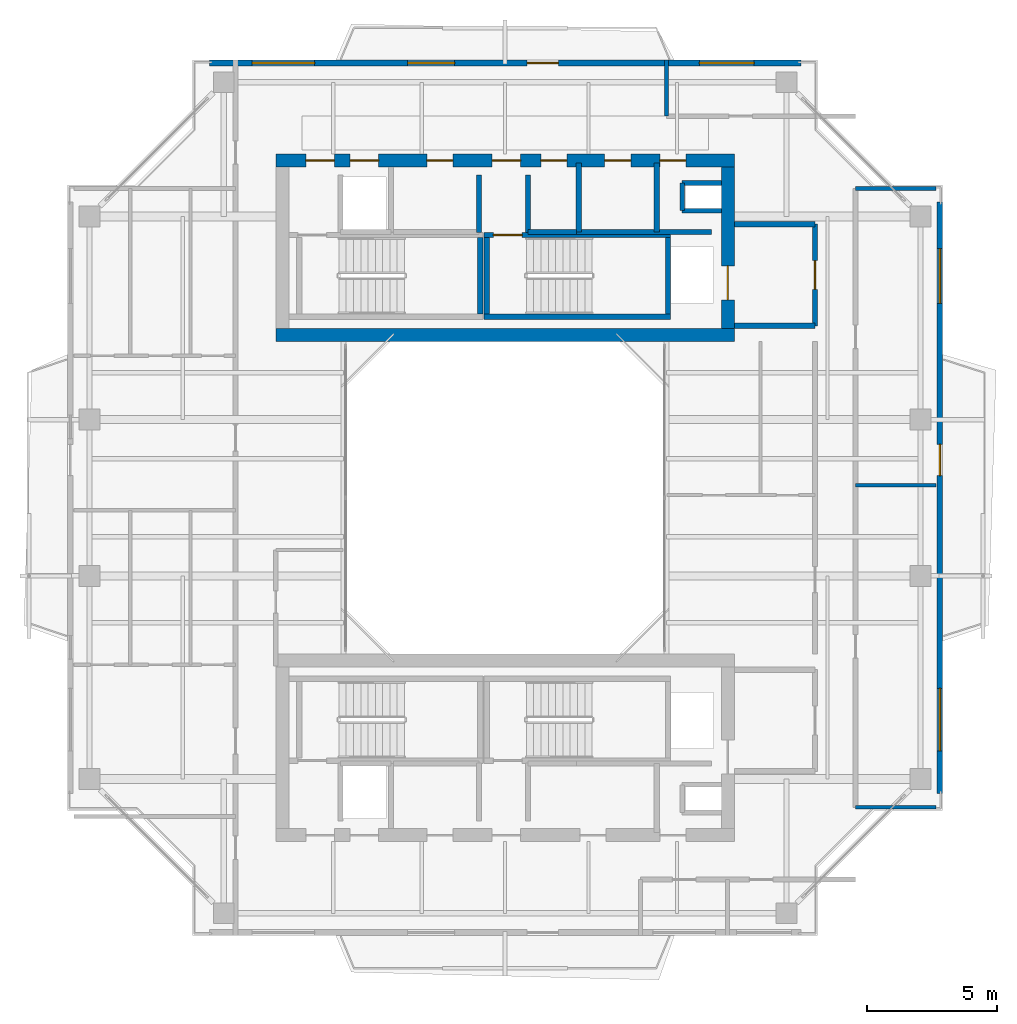
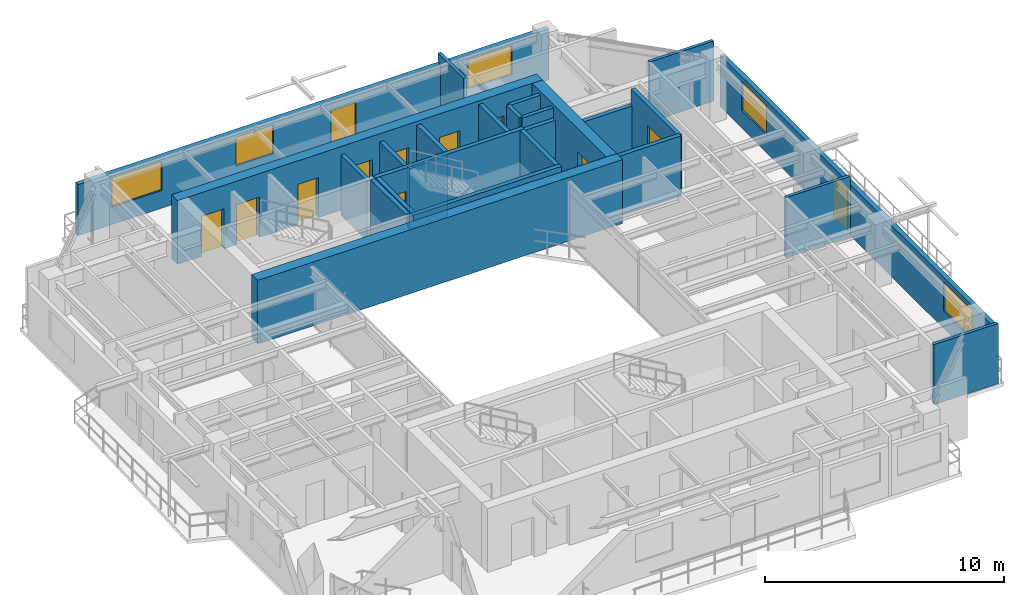
# One storey, part 12 of 16: 26 walls, 12 doors, 5 windows, 17 openings.
"""IFC4 building model written with IfcOpenShell, lengths in metres."""

from ifc_helpers import new_model, si_unit, direction, frame, frame_2d, origin, place, context, subcontext, project, spatial, rectangle, extrude, source, transform, mapped, material, layer, layer_set, type_object, element, fill, save


model = new_model("IFC4")

# Units and contexts
model_context = context("Model", 3, precision=1e-05, world=origin(), true_north=direction((0.0, 1.0)))
body_context = subcontext(model_context, "Body", "Model", "MODEL_VIEW")
ifc_project = project(units=[si_unit("LENGTHUNIT", "METRE"), si_unit("AREAUNIT", "SQUARE_METRE"), si_unit("VOLUMEUNIT", "CUBIC_METRE"), si_unit("PLANEANGLEUNIT", "RADIAN"), si_unit("MASSUNIT", "GRAM", prefix="KILO"), si_unit("THERMODYNAMICTEMPERATUREUNIT", "KELVIN"), si_unit("POWERUNIT", "WATT")], contexts=[model_context])

# Site, building, storey
site_placement = place(None, origin())
site = spatial("IfcSite", under=ifc_project, at=site_placement, CompositionType="ELEMENT")
building_placement = place(site_placement, origin())
building = spatial("IfcBuilding", under=site, at=building_placement, Name="Qiaomeng Ring Towers", CompositionType="ELEMENT")
storey_placement = place(building_placement, frame((0.0, 0.0, 197.0)))
storey = spatial("IfcBuildingStorey", under=building, at=storey_placement, Name="L57", CompositionType="ELEMENT", Elevation=197.0)

# Wall, openings, windows, door
ifc_material_1 = material(Name="Precast concrete C40", Category="concrete")
ifc_layer_1 = layer(ifc_material_1, 0.219970703125, Name="Precast concrete C40")
ifc_layer_set_1 = layer_set([ifc_layer_1], Name="Precast concrete C40")
wall_type_1 = type_object("IfcWallType", Name="ARC-WL-EW2", PredefinedType="STANDARD", material=ifc_layer_set_1)
wall_1_placement = place(storey_placement, frame((7.64990234375, 39.68994140625, 0.0), z_axis=(0.0, 0.0, 1.0), x_axis=(1.0, 0.0, 0.0)))
wall_1 = element("IfcWall", 1, at=wall_1_placement, inside=storey, type_object=wall_type_1, Name="L57 Tower 1 N Exterior Wall", PredefinedType="STANDARD", context=body_context, shape_type="SweptSolid", body=[
    extrude(rectangle(XDim=22.7001953125, YDim=0.219970703125, at=frame_2d((11.35009765625, 0.0))), origin(), (0.0, 0.0, 1.0), 2.610107421875),
])
opening_1_placement = place(wall_1_placement, frame((12.199951171875, 0.0, 0.0)))
opening_1 = element("IfcOpeningElement", 2, at=opening_1_placement, cuts=wall_1, Name="Opening BD1", PredefinedType="OPENING", context=body_context, shape_type="SweptSolid", body=[
    extrude(rectangle(XDim=1.199951171875, YDim=2.10009765625, at=frame_2d((0.60009765625, 1.050048828125))), frame((0.0, 0.119873046875, 0.0), z_axis=(0.0, -1.0, 0.0), x_axis=(1.0, 0.0, 0.0)), (0.0, 0.0, 1.0), 0.239990234375),
])
opening_2_placement = place(wall_1_placement, frame((1.636962890625, 0.0, 0.89990234375)))
opening_2 = element("IfcOpeningElement", 3, at=opening_2_placement, cuts=wall_1, Name="Opening WN6", PredefinedType="OPENING", context=body_context, shape_type="SweptSolid", body=[
    extrude(rectangle(XDim=2.39990234375, YDim=1.47998046875, at=frame_2d((1.199951171875, 0.739990234375))), frame((0.0, 0.119873046875, 0.0), z_axis=(0.0, -1.0, 0.0), x_axis=(1.0, 0.0, 0.0)), (0.0, 0.0, 1.0), 0.239990234375),
])
opening_3_placement = place(wall_1_placement, frame((7.612060546875, 0.0, 0.89990234375)))
opening_3 = element("IfcOpeningElement", 4, at=opening_3_placement, cuts=wall_1, Name="Opening WN1", PredefinedType="OPENING", context=body_context, shape_type="SweptSolid", body=[
    extrude(rectangle(XDim=1.800048828125, YDim=1.449951171875, at=frame_2d((0.89990234375, 0.72509765625))), frame((0.0, 0.119873046875, 0.0), z_axis=(0.0, -1.0, 0.0), x_axis=(1.0, 0.0, 0.0)), (0.0, 0.0, 1.0), 0.239990234375),
])
opening_4_placement = place(wall_1_placement, frame((18.81201171875, 0.0, 0.89990234375)))
opening_4 = element("IfcOpeningElement", 5, at=opening_4_placement, cuts=wall_1, Name="Opening WN4", PredefinedType="OPENING", context=body_context, shape_type="SweptSolid", body=[
    extrude(rectangle(XDim=2.10009765625, YDim=1.47998046875, at=frame_2d((1.050048828125, 0.739990234375))), frame((0.0, 0.119873046875, 0.0), z_axis=(0.0, -1.0, 0.0), x_axis=(1.0, 0.0, 0.0)), (0.0, 0.0, 1.0), 0.239990234375),
])
ifc_material_2 = material(Name="Low-E dark-grey laminated double glazing", Category="glass")
window_type_1 = type_object("IfcWindowType", Name="ARC-WN-4", PartitioningType="TRIPLE_PANEL_VERTICAL", PredefinedType="WINDOW", material=ifc_material_2)
shared_shape_1 = source(origin(), body_context, "Body", "SweptSolid", [
    extrude(rectangle(XDim=2.10009765625, YDim=1.47998046875, at=frame_2d((1.050048828125, 0.739990234375))), frame((0.0, 0.030029296875, 0.0), z_axis=(0.0, -1.0, 0.0), x_axis=(1.0, 0.0, 0.0)), (0.0, 0.0, 1.0), 0.06005859375),
])
window_1_placement = place(opening_4_placement, origin())
window_1 = element("IfcWindow", 6, at=window_1_placement, inside=storey, type_object=window_type_1, Name="L57 Exterior Window WN4", OverallHeight=1.47998046875, OverallWidth=2.10009765625, PartitioningType="TRIPLE_PANEL_VERTICAL", PredefinedType="WINDOW", context=body_context, shape_type="MappedRepresentation", body=[
    mapped(shared_shape_1, transform((0.0, 0.0, 0.0), x_axis=(1.0, 0.0, 0.0), y_axis=(0.0, 1.0, 0.0), z_axis=(0.0, 0.0, 1.0), scale=1.0)),
])
fill(opening_4, window_1)
window_type_2 = type_object("IfcWindowType", Name="ARC-WN-1", PartitioningType="DOUBLE_PANEL_VERTICAL", PredefinedType="WINDOW", material=ifc_material_2)
shared_shape_2 = source(origin(), body_context, "Body", "SweptSolid", [
    extrude(rectangle(XDim=1.800048828125, YDim=1.449951171875, at=frame_2d((0.89990234375, 0.72509765625))), frame((0.0, 0.030029296875, 0.0), z_axis=(0.0, -1.0, 0.0), x_axis=(1.0, 0.0, 0.0)), (0.0, 0.0, 1.0), 0.06005859375),
])
window_2_placement = place(opening_3_placement, origin())
window_2 = element("IfcWindow", 7, at=window_2_placement, inside=storey, type_object=window_type_2, Name="L57 Exterior Window WN1", OverallHeight=1.449951171875, OverallWidth=1.800048828125, PartitioningType="DOUBLE_PANEL_VERTICAL", PredefinedType="WINDOW", context=body_context, shape_type="MappedRepresentation", body=[
    mapped(shared_shape_2, transform((0.0, 0.0, 0.0), x_axis=(1.0, 0.0, 0.0), y_axis=(0.0, 1.0, 0.0), z_axis=(0.0, 0.0, 1.0), scale=1.0)),
])
fill(opening_3, window_2)
window_type_3 = type_object("IfcWindowType", Name="ARC-WN-6", PartitioningType="TRIPLE_PANEL_VERTICAL", PredefinedType="WINDOW", material=ifc_material_2)
shared_shape_3 = source(origin(), body_context, "Body", "SweptSolid", [
    extrude(rectangle(XDim=2.39990234375, YDim=1.47998046875, at=frame_2d((1.199951171875, 0.739990234375))), frame((0.0, 0.030029296875, 0.0), z_axis=(0.0, -1.0, 0.0), x_axis=(1.0, 0.0, 0.0)), (0.0, 0.0, 1.0), 0.06005859375),
])
window_3_placement = place(opening_2_placement, origin())
window_3 = element("IfcWindow", 8, at=window_3_placement, inside=storey, type_object=window_type_3, Name="L57 Exterior Window WN6", OverallHeight=1.47998046875, OverallWidth=2.39990234375, PartitioningType="TRIPLE_PANEL_VERTICAL", PredefinedType="WINDOW", context=body_context, shape_type="MappedRepresentation", body=[
    mapped(shared_shape_3, transform((0.0, 0.0, 0.0), x_axis=(1.0, 0.0, 0.0), y_axis=(0.0, 1.0, 0.0), z_axis=(0.0, 0.0, 1.0), scale=1.0)),
])
fill(opening_2, window_3)
door_type_1 = type_object("IfcDoorType", Name="ARC-DR-BD1", OperationType="NOTDEFINED", PredefinedType="DOOR", material=ifc_material_2)
shared_shape_4 = source(origin(), body_context, "Body", "SweptSolid", [
    extrude(rectangle(XDim=1.199951171875, YDim=2.10009765625, at=frame_2d((0.60009765625, 1.050048828125))), frame((0.0, 0.02490234375, 0.0), z_axis=(0.0, -1.0, 0.0), x_axis=(1.0, 0.0, 0.0)), (0.0, 0.0, 1.0), 0.050048828125),
])
door_1_placement = place(opening_1_placement, origin())
door_1 = element("IfcDoor", 9, at=door_1_placement, inside=storey, type_object=door_type_1, Name="L57 N Balcony Glazed Door", OperationType="SINGLE_SWING_LEFT", OverallHeight=2.10009765625, OverallWidth=1.199951171875, PredefinedType="DOOR", context=body_context, shape_type="MappedRepresentation", body=[
    mapped(shared_shape_4, transform((0.0, 0.0, 0.0), x_axis=(1.0, 0.0, 0.0), y_axis=(0.0, 1.0, 0.0), z_axis=(0.0, 0.0, 1.0), scale=1.0)),
])
fill(opening_1, door_1)

wall_2_placement = place(storey_placement, frame((35.68994140625, 11.64990234375, 0.0), z_axis=(0.0, 0.0, 1.0), x_axis=(0.0, 1.0, 0.0)))
wall_2 = element("IfcWall", 10, at=wall_2_placement, inside=storey, type_object=wall_type_1, Name="L57 Tower 1 E Exterior Wall", PredefinedType="STANDARD", context=body_context, shape_type="SweptSolid", body=[
    extrude(rectangle(XDim=22.7001953125, YDim=0.219970703125, at=frame_2d((11.35009765625, 0.0))), origin(), (0.0, 0.0, 1.0), 2.610107421875),
])
opening_5_placement = place(wall_2_placement, frame((12.199951171875, 0.0, 0.0)))
opening_5 = element("IfcOpeningElement", 11, at=opening_5_placement, cuts=wall_2, Name="Opening BD1", PredefinedType="OPENING", context=body_context, shape_type="SweptSolid", body=[
    extrude(rectangle(XDim=1.199951171875, YDim=2.10009765625, at=frame_2d((0.60009765625, 1.050048828125))), frame((0.0, 0.119873046875, 0.0), z_axis=(0.0, -1.0, 0.0), x_axis=(1.0, 0.0, 0.0)), (0.0, 0.0, 1.0), 0.239990234375),
])
opening_6_placement = place(wall_2_placement, frame((1.637939453125, 0.0, 0.89990234375)))
opening_6 = element("IfcOpeningElement", 12, at=opening_6_placement, cuts=wall_2, Name="Opening WN6", PredefinedType="OPENING", context=body_context, shape_type="SweptSolid", body=[
    extrude(rectangle(XDim=2.39990234375, YDim=1.47998046875, at=frame_2d((1.199951171875, 0.739990234375))), frame((0.0, 0.119873046875, 0.0), z_axis=(0.0, -1.0, 0.0), x_axis=(1.0, 0.0, 0.0)), (0.0, 0.0, 1.0), 0.239990234375),
])
opening_7_placement = place(wall_2_placement, frame((18.81298828125, 0.0, 0.89990234375)))
opening_7 = element("IfcOpeningElement", 13, at=opening_7_placement, cuts=wall_2, Name="Opening WN4", PredefinedType="OPENING", context=body_context, shape_type="SweptSolid", body=[
    extrude(rectangle(XDim=2.10009765625, YDim=1.47998046875, at=frame_2d((1.050048828125, 0.739990234375))), frame((0.0, 0.119873046875, 0.0), z_axis=(0.0, -1.0, 0.0), x_axis=(1.0, 0.0, 0.0)), (0.0, 0.0, 1.0), 0.239990234375),
])
window_4_placement = place(opening_7_placement, origin())
window_4 = element("IfcWindow", 14, at=window_4_placement, inside=storey, type_object=window_type_1, Name="L57 Exterior Window WN4", OverallHeight=1.47998046875, OverallWidth=2.10009765625, PartitioningType="TRIPLE_PANEL_VERTICAL", PredefinedType="WINDOW", context=body_context, shape_type="MappedRepresentation", body=[
    mapped(shared_shape_1, transform((0.0, 0.0, 0.0), x_axis=(1.0, 0.0, 0.0), y_axis=(0.0, 1.0, 0.0), z_axis=(0.0, 0.0, 1.0), scale=1.0)),
])
fill(opening_7, window_4)
window_5_placement = place(opening_6_placement, origin())
window_5 = element("IfcWindow", 15, at=window_5_placement, inside=storey, type_object=window_type_3, Name="L57 Exterior Window WN6", OverallHeight=1.47998046875, OverallWidth=2.39990234375, PartitioningType="TRIPLE_PANEL_VERTICAL", PredefinedType="WINDOW", context=body_context, shape_type="MappedRepresentation", body=[
    mapped(shared_shape_3, transform((0.0, 0.0, 0.0), x_axis=(1.0, 0.0, 0.0), y_axis=(0.0, 1.0, 0.0), z_axis=(0.0, 0.0, 1.0), scale=1.0)),
])
fill(opening_6, window_5)
door_2_placement = place(opening_5_placement, origin())
door_2 = element("IfcDoor", 16, at=door_2_placement, inside=storey, type_object=door_type_1, Name="L57 E Balcony Glazed Door", OperationType="SINGLE_SWING_LEFT", OverallHeight=2.10009765625, OverallWidth=1.199951171875, PredefinedType="DOOR", context=body_context, shape_type="MappedRepresentation", body=[
    mapped(shared_shape_4, transform((0.0, 0.0, 0.0), x_axis=(1.0, 0.0, 0.0), y_axis=(0.0, 1.0, 0.0), z_axis=(0.0, 0.0, 1.0), scale=1.0)),
])
fill(opening_5, door_2)

# Walls
ifc_material_3 = material(Name="Autoclaved aerated concrete block", Category="concrete")
ifc_layer_2 = layer(ifc_material_3, 0.199951171875, Name="Autoclaved aerated concrete block")
ifc_layer_set_2 = layer_set([ifc_layer_2], Name="Autoclaved aerated concrete block")
wall_type_2 = type_object("IfcWallType", Name="ARC-WL-PW1", PredefinedType="PARTITIONING", material=ifc_layer_set_2)
wall_3_placement = place(storey_placement, frame((27.800048828125, 29.60009765625, 0.0), z_axis=(0.0, 0.0, 1.0), x_axis=(1.0, 0.0, 0.0)))
element("IfcWall", 17, at=wall_3_placement, inside=storey, type_object=wall_type_2, Name="L57 Interior Wall PW1", PredefinedType="PARTITIONING", context=body_context, shape_type="SweptSolid", body=[
    extrude(rectangle(XDim=3.099853515625, YDim=0.199951171875, at=frame_2d((1.5498046875, 0.0))), origin(), (0.0, 0.0, 1.0), 3.070068359375),
])
wall_4_placement = place(storey_placement, frame((27.800048828125, 33.5, 0.0), z_axis=(0.0, 0.0, 1.0), x_axis=(1.0, 0.0, 0.0)))
element("IfcWall", 18, at=wall_4_placement, inside=storey, type_object=wall_type_2, Name="L57 Interior Wall PW1", PredefinedType="PARTITIONING", context=body_context, shape_type="SweptSolid", body=[
    extrude(rectangle(XDim=3.099853515625, YDim=0.199951171875, at=frame_2d((1.5498046875, 0.0))), origin(), (0.0, 0.0, 1.0), 2.264892578125),
])

# Wall, opening, door
wall_5_placement = place(storey_placement, frame((30.89990234375, 29.60009765625, 0.0), z_axis=(0.0, 0.0, 1.0), x_axis=(0.0, 1.0, 0.0)))
wall_5 = element("IfcWall", 19, at=wall_5_placement, inside=storey, type_object=wall_type_2, Name="L57 Interior Wall PW1", PredefinedType="PARTITIONING", context=body_context, shape_type="SweptSolid", body=[
    extrude(rectangle(XDim=3.89990234375, YDim=0.199951171875, at=frame_2d((1.949951171875, 0.0))), origin(), (0.0, 0.0, 1.0), 3.070068359375),
])
opening_8_placement = place(wall_5_placement, frame((1.39990234375, 0.0, 0.0)))
opening_8 = element("IfcOpeningElement", 20, at=opening_8_placement, cuts=wall_5, Name="Opening FD3", PredefinedType="OPENING", context=body_context, shape_type="SweptSolid", body=[
    extrude(rectangle(XDim=1.10009765625, YDim=2.050048828125, at=frame_2d((0.550048828125, 1.02490234375))), frame((0.0, 0.10986328125, 0.0), z_axis=(0.0, -1.0, 0.0), x_axis=(1.0, 0.0, 0.0)), (0.0, 0.0, 1.0), 0.219970703125),
])
ifc_material_4 = material(Name="Galvanised steel", Category="steel")
door_type_2 = type_object("IfcDoorType", Name="ARC-DR-FD3", OperationType="NOTDEFINED", PredefinedType="DOOR", material=ifc_material_4)
shared_shape_5 = source(origin(), body_context, "Body", "SweptSolid", [
    extrude(rectangle(XDim=1.10009765625, YDim=2.050048828125, at=frame_2d((0.550048828125, 1.02490234375))), frame((0.0, 0.02490234375, 0.0), z_axis=(0.0, -1.0, 0.0), x_axis=(1.0, 0.0, 0.0)), (0.0, 0.0, 1.0), 0.050048828125),
])
door_3_placement = place(opening_8_placement, origin())
door_3 = element("IfcDoor", 21, at=door_3_placement, inside=storey, type_object=door_type_2, Name="L57 North FF Lobby Door", OperationType="SINGLE_SWING_RIGHT", OverallHeight=2.050048828125, OverallWidth=1.10009765625, PredefinedType="DOOR", context=body_context, shape_type="MappedRepresentation", body=[
    mapped(shared_shape_5, transform((0.0, 0.0, 0.0), x_axis=(1.0, 0.0, 0.0), y_axis=(0.0, 1.0, 0.0), z_axis=(0.0, 0.0, 1.0), scale=1.0)),
])
fill(opening_8, door_3)

# Walls
for number, where, z_axis, x_axis, name in (
    (22, (18.0, 33.18994140625, 0.0), (0.0, 0.0, 1.0), (0.0, 1.0, 0.0), "L57 Interior Wall PW1"),
    (23, (19.8798828125, 33.18994140625, 0.0), (0.0, 0.0, 1.0), (0.0, 1.0, 0.0), "L57 Interior Wall PW1"),
):
    element("IfcWall", number, at=place(storey_placement, frame(where, z_axis=z_axis, x_axis=x_axis)), inside=storey, type_object=wall_type_2, Name=name, PredefinedType="PARTITIONING", context=body_context, shape_type="SweptSolid", body=[
        extrude(rectangle(XDim=2.2099609375, YDim=0.199951171875, at=frame_2d((1.10498046875, 0.0))), origin(), (0.0, 0.0, 1.0), 3.070068359375),
    ])
wall_6_placement = place(storey_placement, frame((24.820068359375, 33.199951171875, 0.0), z_axis=(0.0, 0.0, 1.0), x_axis=(0.0, 1.0, 0.0)))
element("IfcWall", 24, at=wall_6_placement, inside=storey, type_object=wall_type_2, Name="L57 Interior Wall PW1", PredefinedType="PARTITIONING", context=body_context, shape_type="SweptSolid", body=[
    extrude(rectangle(XDim=2.650146484375, YDim=0.199951171875, at=frame_2d((1.3251953125, 0.0))), origin(), (0.0, 0.0, 1.0), 3.070068359375),
])
wall_7_placement = place(storey_placement, frame((19.8798828125, 33.199951171875, 0.0), z_axis=(0.0, 0.0, 1.0), x_axis=(1.0, 0.0, 0.0)))
element("IfcWall", 25, at=wall_7_placement, inside=storey, type_object=wall_type_2, Name="L57 Interior Wall PW1", PredefinedType="PARTITIONING", context=body_context, shape_type="SweptSolid", body=[
    extrude(rectangle(XDim=1.8701171875, YDim=0.199951171875, at=frame_2d((0.93505859375, 0.0))), origin(), (0.0, 0.0, 1.0), 3.070068359375),
])
wall_8_placement = place(storey_placement, frame((21.830078125, 33.199951171875, 0.0), z_axis=(0.0, 0.0, 1.0), x_axis=(0.0, 1.0, 0.0)))
element("IfcWall", 26, at=wall_8_placement, inside=storey, type_object=wall_type_2, Name="L57 Interior Wall PW1", PredefinedType="PARTITIONING", context=body_context, shape_type="SweptSolid", body=[
    extrude(rectangle(XDim=2.650146484375, YDim=0.199951171875, at=frame_2d((1.3251953125, 0.0))), origin(), (0.0, 0.0, 1.0), 3.070068359375),
])
wall_9_placement = place(storey_placement, frame((21.75, 33.199951171875, 0.0), z_axis=(0.0, 0.0, 1.0), x_axis=(1.0, 0.0, 0.0)))
element("IfcWall", 27, at=wall_9_placement, inside=storey, type_object=wall_type_2, Name="L57 Interior Wall PW1", PredefinedType="PARTITIONING", context=body_context, shape_type="SweptSolid", body=[
    extrude(rectangle(XDim=5.169921875, YDim=0.199951171875, at=frame_2d((2.5849609375, 0.0))), origin(), (0.0, 0.0, 1.0), 3.070068359375),
])
ifc_material_5 = material(Name="Gypsum fireboard steel-stud partition", Category="steel")
ifc_layer_3 = layer(ifc_material_5, 0.14990234375, Name="Gypsum fireboard steel-stud partition")
ifc_layer_set_3 = layer_set([ifc_layer_3], Name="Gypsum fireboard steel-stud partition")
wall_type_3 = type_object("IfcWallType", Name="ARC-WL-PW3", PredefinedType="PARTITIONING", material=ifc_layer_set_3)
wall_10_placement = place(storey_placement, frame((25.199951171875, 37.64990234375, 0.0), z_axis=(0.0, 0.0, 1.0), x_axis=(0.0, 1.0, 0.0)))
element("IfcWall", 28, at=wall_10_placement, inside=storey, type_object=wall_type_3, Name="L57 Interior Wall PW3", PredefinedType="PARTITIONING", context=body_context, shape_type="SweptSolid", body=[
    extrude(rectangle(XDim=2.150146484375, YDim=0.14990234375, at=frame_2d((1.0751953125, 0.0))), origin(), (0.0, 0.0, 1.0), 3.070068359375),
])
for number, where, z_axis, x_axis, name in (
    (29, (32.449951171875, 34.8798828125, 0.0), (0.0, 0.0, 1.0), (1.0, 0.0, 0.0), "L57 Interior Wall PW3"),
    (30, (32.449951171875, 11.1201171875, 0.0), (0.0, 0.0, 1.0), (1.0, 0.0, 0.0), "L57 Interior Wall PW3"),
    (31, (32.449951171875, 23.47998046875, 0.0), (0.0, 0.0, 1.0), (1.0, 0.0, 0.0), "L57 Interior Wall PW3"),
):
    element("IfcWall", number, at=place(storey_placement, frame(where, z_axis=z_axis, x_axis=x_axis)), inside=storey, type_object=wall_type_3, Name=name, PredefinedType="PARTITIONING", context=body_context, shape_type="SweptSolid", body=[
        extrude(rectangle(XDim=3.10009765625, YDim=0.14990234375, at=frame_2d((1.550048828125, 0.0))), origin(), (0.0, 0.0, 1.0), 3.070068359375),
    ])
ifc_material_6 = material(Name="Concrete C40", Category="concrete")
ifc_layer_4 = layer(ifc_material_6, 0.199951171875, Name="Concrete C40")
ifc_layer_set_4 = layer_set([ifc_layer_4], Name="Concrete C40")
wall_type_4 = type_object("IfcWallType", Name="STR-WL-STSHAFT", PredefinedType="SHEAR", material=ifc_layer_set_4)
wall_11_placement = place(storey_placement, frame((25.800048828125, 34.02001953125, 0.0), z_axis=(0.0, 0.0, 1.0), x_axis=(0.0, 1.0, 0.0)))
element("IfcWall", 32, at=wall_11_placement, inside=storey, type_object=wall_type_4, Name="L57 Riser RSR1 West Shaft Wall N", PredefinedType="SHEAR", context=body_context, shape_type="SweptSolid", body=[
    extrude(rectangle(XDim=1.06005859375, YDim=0.179931640625, at=frame_2d((0.530029296875, 0.0))), origin(), (0.0, 0.0, 1.0), 3.070068359375),
])
for number, where, z_axis, x_axis, name in (
    (33, (25.800048828125, 35.080078125, 0.0), (0.0, 0.0, 1.0), (1.0, 0.0, 0.0), "L57 Riser RSR1 North Shaft Wall N"),
    (34, (25.800048828125, 34.02001953125, 0.0), (0.0, 0.0, 1.0), (1.0, 0.0, 0.0), "L57 Riser RSR1 South Shaft Wall N"),
):
    element("IfcWall", number, at=place(storey_placement, frame(where, z_axis=z_axis, x_axis=x_axis)), inside=storey, type_object=wall_type_4, Name=name, PredefinedType="SHEAR", context=body_context, shape_type="SweptSolid", body=[
        extrude(rectangle(XDim=1.5, YDim=0.179931640625, at=frame_2d((0.75, 0.0))), origin(), (0.0, 0.0, 1.0), 3.070068359375),
    ])
wall_12_placement = place(storey_placement, frame((18.050048828125, 30.050048828125, 0.0), z_axis=(0.0, 0.0, 1.0), x_axis=(0.0, 1.0, 0.0)))
element("IfcWall", 35, at=wall_12_placement, inside=storey, type_object=wall_type_4, Name="L57 Stair ST1 East Shaft Shear Wall", PredefinedType="SHEAR", context=body_context, shape_type="SweptSolid", body=[
    extrude(rectangle(XDim=2.93994140625, YDim=0.199951171875, at=frame_2d((1.469970703125, 0.0))), origin(), (0.0, 0.0, 1.0), 3.25),
])
wall_13_placement = place(storey_placement, frame((18.199951171875, 29.949951171875, 0.0), z_axis=(0.0, 0.0, 1.0), x_axis=(1.0, 0.0, 0.0)))
element("IfcWall", 36, at=wall_13_placement, inside=storey, type_object=wall_type_4, Name="L57 Stair ST2 South Shaft Shear Wall", PredefinedType="SHEAR", context=body_context, shape_type="SweptSolid", body=[
    extrude(rectangle(XDim=7.150146484375, YDim=0.199951171875, at=frame_2d((3.5751953125, 0.0))), origin(), (0.0, 0.0, 1.0), 3.25),
])

# Wall, opening, door
wall_14_placement = place(storey_placement, frame((18.199951171875, 33.090087890625, 0.0), z_axis=(0.0, 0.0, 1.0), x_axis=(1.0, 0.0, 0.0)))
wall_14 = element("IfcWall", 37, at=wall_14_placement, inside=storey, type_object=wall_type_4, Name="L57 Stair ST2 North Shaft Shear Wall", PredefinedType="SHEAR", context=body_context, shape_type="SweptSolid", body=[
    extrude(rectangle(XDim=7.150146484375, YDim=0.199951171875, at=frame_2d((3.5751953125, 0.0))), origin(), (0.0, 0.0, 1.0), 3.25),
])
opening_9_placement = place(wall_14_placement, frame((0.35009765625, 0.0, 0.0)))
opening_9 = element("IfcOpeningElement", 38, at=opening_9_placement, cuts=wall_14, Name="Opening FD3", PredefinedType="OPENING", context=body_context, shape_type="SweptSolid", body=[
    extrude(rectangle(XDim=1.10009765625, YDim=2.050048828125, at=frame_2d((0.550048828125, 1.02490234375))), frame((0.0, 0.10986328125, 0.0), z_axis=(0.0, -1.0, 0.0), x_axis=(1.0, 0.0, 0.0)), (0.0, 0.0, 1.0), 0.219970703125),
])
door_4_placement = place(opening_9_placement, origin())
door_4 = element("IfcDoor", 39, at=door_4_placement, inside=storey, type_object=door_type_2, Name="L57 Stair ST2 Exit Door", OperationType="SINGLE_SWING_LEFT", OverallHeight=2.050048828125, OverallWidth=1.10009765625, PredefinedType="DOOR", context=body_context, shape_type="MappedRepresentation", body=[
    mapped(shared_shape_5, transform((0.0, 0.0, 0.0), x_axis=(1.0, 0.0, 0.0), y_axis=(0.0, 1.0, 0.0), z_axis=(0.0, 0.0, 1.0), scale=1.0)),
])
fill(opening_9, door_4)

# Walls
for number, where, z_axis, x_axis, name in (
    (40, (18.300048828125, 30.050048828125, 0.0), (0.0, 0.0, 1.0), (0.0, 1.0, 0.0), "L57 Stair ST2 West Shaft Shear Wall"),
    (41, (25.25, 30.050048828125, 0.0), (0.0, 0.0, 1.0), (0.0, 1.0, 0.0), "L57 Stair ST2 East Shaft Shear Wall"),
):
    element("IfcWall", number, at=place(storey_placement, frame(where, z_axis=z_axis, x_axis=x_axis)), inside=storey, type_object=wall_type_4, Name=name, PredefinedType="SHEAR", context=body_context, shape_type="SweptSolid", body=[
        extrude(rectangle(XDim=2.93994140625, YDim=0.199951171875, at=frame_2d((1.469970703125, 0.0))), origin(), (0.0, 0.0, 1.0), 3.25),
    ])
ifc_layer_5 = layer(ifc_material_6, 0.5, Name="Concrete C40")
ifc_layer_set_5 = layer_set([ifc_layer_5], Name="Concrete C40")
wall_type_5 = type_object("IfcWallType", Name="STR-WL-SW3", PredefinedType="SHEAR", material=ifc_layer_set_5)
wall_15_placement = place(storey_placement, frame((10.199951171875, 29.25, 0.0), z_axis=(0.0, 0.0, 1.0), x_axis=(1.0, 0.0, 0.0)))
element("IfcWall", 42, at=wall_15_placement, inside=storey, type_object=wall_type_5, Name="L57 T1NC south core shear wall", PredefinedType="SHEAR", context=body_context, shape_type="SweptSolid", body=[
    extrude(rectangle(XDim=17.60009765625, YDim=0.5, at=frame_2d((8.800048828125, 0.0))), origin(), (0.0, 0.0, 1.0), 3.25),
])

# Wall, openings, doors
wall_16_placement = place(storey_placement, frame((10.199951171875, 35.949951171875, 0.0), z_axis=(0.0, 0.0, 1.0), x_axis=(1.0, 0.0, 0.0)))
wall_16 = element("IfcWall", 43, at=wall_16_placement, inside=storey, type_object=wall_type_5, Name="L57 T1NC north core shear wall", PredefinedType="SHEAR", context=body_context, shape_type="SweptSolid", body=[
    extrude(rectangle(XDim=17.60009765625, YDim=0.5, at=frame_2d((8.800048828125, 0.0))), origin(), (0.0, 0.0, 1.0), 3.25),
])
opening_10_placement = place(wall_16_placement, frame((1.14990234375, 0.0, 0.0)))
opening_10 = element("IfcOpeningElement", 44, at=opening_10_placement, cuts=wall_16, Name="Opening FD3", PredefinedType="OPENING", context=body_context, shape_type="SweptSolid", body=[
    extrude(rectangle(XDim=1.10009765625, YDim=2.050048828125, at=frame_2d((0.550048828125, 1.02490234375))), frame((0.0, 0.260009765625, 0.0), z_axis=(0.0, -1.0, 0.0), x_axis=(1.0, 0.0, 0.0)), (0.0, 0.0, 1.0), 0.52001953125),
])
opening_11_placement = place(wall_16_placement, frame((8.300048828125, 0.0, 0.0)))
opening_11 = element("IfcOpeningElement", 45, at=opening_11_placement, cuts=wall_16, Name="Opening FD3", PredefinedType="OPENING", context=body_context, shape_type="SweptSolid", body=[
    extrude(rectangle(XDim=1.10009765625, YDim=2.050048828125, at=frame_2d((0.550048828125, 1.02490234375))), frame((0.0, 0.260009765625, 0.0), z_axis=(0.0, -1.0, 0.0), x_axis=(1.0, 0.0, 0.0)), (0.0, 0.0, 1.0), 0.52001953125),
])
opening_12_placement = place(wall_16_placement, frame((2.85009765625, 0.0, 0.0)))
opening_12 = element("IfcOpeningElement", 46, at=opening_12_placement, cuts=wall_16, Name="Opening LD1", PredefinedType="OPENING", context=body_context, shape_type="SweptSolid", body=[
    extrude(rectangle(XDim=1.10009765625, YDim=2.050048828125, at=frame_2d((0.550048828125, 1.02490234375))), frame((0.0, 0.260009765625, 0.0), z_axis=(0.0, -1.0, 0.0), x_axis=(1.0, 0.0, 0.0)), (0.0, 0.0, 1.0), 0.52001953125),
])
opening_13_placement = place(wall_16_placement, frame((5.800048828125, 0.0, 0.0)))
opening_13 = element("IfcOpeningElement", 47, at=opening_13_placement, cuts=wall_16, Name="Opening FD1", PredefinedType="OPENING", context=body_context, shape_type="SweptSolid", body=[
    extrude(rectangle(XDim=1.0, YDim=2.050048828125, at=frame_2d((0.5, 1.02490234375))), frame((0.0, 0.260009765625, 0.0), z_axis=(0.0, -1.0, 0.0), x_axis=(1.0, 0.0, 0.0)), (0.0, 0.0, 1.0), 0.52001953125),
])
opening_14_placement = place(wall_16_placement, frame((14.739990234375, 0.0, 0.0)))
opening_14 = element("IfcOpeningElement", 48, at=opening_14_placement, cuts=wall_16, Name="Opening FD1", PredefinedType="OPENING", context=body_context, shape_type="SweptSolid", body=[
    extrude(rectangle(XDim=1.0, YDim=2.050048828125, at=frame_2d((0.5, 1.02490234375))), frame((0.0, 0.260009765625, 0.0), z_axis=(0.0, -1.0, 0.0), x_axis=(1.0, 0.0, 0.0)), (0.0, 0.0, 1.0), 0.52001953125),
])
opening_15_placement = place(wall_16_placement, frame((10.175048828125, 0.0, 0.0)))
opening_15 = element("IfcOpeningElement", 49, at=opening_15_placement, cuts=wall_16, Name="Opening FD1", PredefinedType="OPENING", context=body_context, shape_type="SweptSolid", body=[
    extrude(rectangle(XDim=1.0, YDim=2.050048828125, at=frame_2d((0.5, 1.02490234375))), frame((0.0, 0.260009765625, 0.0), z_axis=(0.0, -1.0, 0.0), x_axis=(1.0, 0.0, 0.0)), (0.0, 0.0, 1.0), 0.52001953125),
])
opening_16_placement = place(wall_16_placement, frame((12.625, 0.0, 0.0)))
opening_16 = element("IfcOpeningElement", 50, at=opening_16_placement, cuts=wall_16, Name="Opening FD1", PredefinedType="OPENING", context=body_context, shape_type="SweptSolid", body=[
    extrude(rectangle(XDim=1.0, YDim=2.050048828125, at=frame_2d((0.5, 1.02490234375))), frame((0.0, 0.260009765625, 0.0), z_axis=(0.0, -1.0, 0.0), x_axis=(1.0, 0.0, 0.0)), (0.0, 0.0, 1.0), 0.52001953125),
])
door_5_placement = place(opening_10_placement, origin())
door_5 = element("IfcDoor", 51, at=door_5_placement, inside=storey, type_object=door_type_2, Name="L57 Stair ST1 Lobby Door", OperationType="SINGLE_SWING_RIGHT", OverallHeight=2.050048828125, OverallWidth=1.10009765625, PredefinedType="DOOR", context=body_context, shape_type="MappedRepresentation", body=[
    mapped(shared_shape_5, transform((0.0, 0.0, 0.0), x_axis=(1.0, 0.0, 0.0), y_axis=(0.0, 1.0, 0.0), z_axis=(0.0, 0.0, 1.0), scale=1.0)),
])
fill(opening_10, door_5)
door_6_placement = place(opening_11_placement, origin())
door_6 = element("IfcDoor", 52, at=door_6_placement, inside=storey, type_object=door_type_2, Name="L57 Stair ST2 Lobby Door", OperationType="SINGLE_SWING_RIGHT", OverallHeight=2.050048828125, OverallWidth=1.10009765625, PredefinedType="DOOR", context=body_context, shape_type="MappedRepresentation", body=[
    mapped(shared_shape_5, transform((0.0, 0.0, 0.0), x_axis=(1.0, 0.0, 0.0), y_axis=(0.0, 1.0, 0.0), z_axis=(0.0, 0.0, 1.0), scale=1.0)),
])
fill(opening_11, door_6)
ifc_material_7 = material(Name="Stainless steel 316", Category="steel")
door_type_3 = type_object("IfcDoorType", Name="ARC-DR-LD1", OperationType="NOTDEFINED", PredefinedType="DOOR", material=ifc_material_7)
door_7_placement = place(opening_12_placement, origin())
door_7 = element("IfcDoor", 53, at=door_7_placement, inside=storey, type_object=door_type_3, Name="L57 High-Zone Lift LP5 Landing Door", OperationType="SLIDING_TO_LEFT", OverallHeight=2.050048828125, OverallWidth=1.10009765625, PredefinedType="DOOR", context=body_context, shape_type="MappedRepresentation", body=[
    mapped(shared_shape_5, transform((0.0, 0.0, 0.0), x_axis=(1.0, 0.0, 0.0), y_axis=(0.0, 1.0, 0.0), z_axis=(0.0, 0.0, 1.0), scale=1.0)),
])
fill(opening_12, door_7)
door_type_4 = type_object("IfcDoorType", Name="ARC-DR-FD1", OperationType="NOTDEFINED", PredefinedType="DOOR", material=ifc_material_4)
shared_shape_6 = source(origin(), body_context, "Body", "SweptSolid", [
    extrude(rectangle(XDim=1.0, YDim=2.050048828125, at=frame_2d((0.5, 1.02490234375))), frame((0.0, 0.02490234375, 0.0), z_axis=(0.0, -1.0, 0.0), x_axis=(1.0, 0.0, 0.0)), (0.0, 0.0, 1.0), 0.050048828125),
])
door_8_placement = place(opening_13_placement, origin())
door_8 = element("IfcDoor", 54, at=door_8_placement, inside=storey, type_object=door_type_4, Name="L57 High-Zone Facilities Office Door", OperationType="SINGLE_SWING_RIGHT", OverallHeight=2.050048828125, OverallWidth=1.0, PredefinedType="DOOR", context=body_context, shape_type="MappedRepresentation", body=[
    mapped(shared_shape_6, transform((0.0, 0.0, 0.0), x_axis=(1.0, 0.0, 0.0), y_axis=(0.0, 1.0, 0.0), z_axis=(0.0, 0.0, 1.0), scale=1.0)),
])
fill(opening_13, door_8)
door_9_placement = place(opening_14_placement, origin())
door_9 = element("IfcDoor", 55, at=door_9_placement, inside=storey, type_object=door_type_4, Name="L57 North Electrical Riser Door", OperationType="SINGLE_SWING_RIGHT", OverallHeight=2.050048828125, OverallWidth=1.0, PredefinedType="DOOR", context=body_context, shape_type="MappedRepresentation", body=[
    mapped(shared_shape_6, transform((0.0, 0.0, 0.0), x_axis=(1.0, 0.0, 0.0), y_axis=(0.0, 1.0, 0.0), z_axis=(0.0, 0.0, 1.0), scale=1.0)),
])
fill(opening_14, door_9)
door_10_placement = place(opening_15_placement, origin())
door_10 = element("IfcDoor", 56, at=door_10_placement, inside=storey, type_object=door_type_4, Name="L57 North Cleaners Store Door", OperationType="SINGLE_SWING_RIGHT", OverallHeight=2.050048828125, OverallWidth=1.0, PredefinedType="DOOR", context=body_context, shape_type="MappedRepresentation", body=[
    mapped(shared_shape_6, transform((0.0, 0.0, 0.0), x_axis=(1.0, 0.0, 0.0), y_axis=(0.0, 1.0, 0.0), z_axis=(0.0, 0.0, 1.0), scale=1.0)),
])
fill(opening_15, door_10)
door_11_placement = place(opening_16_placement, origin())
door_11 = element("IfcDoor", 57, at=door_11_placement, inside=storey, type_object=door_type_4, Name="L57 North Telemetry Office Door", OperationType="SINGLE_SWING_LEFT", OverallHeight=2.050048828125, OverallWidth=1.0, PredefinedType="DOOR", context=body_context, shape_type="MappedRepresentation", body=[
    mapped(shared_shape_6, transform((0.0, 0.0, 0.0), x_axis=(1.0, 0.0, 0.0), y_axis=(0.0, 1.0, 0.0), z_axis=(0.0, 0.0, 1.0), scale=1.0)),
])
fill(opening_16, door_11)

# Wall, opening, door
wall_17_placement = place(storey_placement, frame((27.550048828125, 29.5, 0.0), z_axis=(0.0, 0.0, 1.0), x_axis=(0.0, 1.0, 0.0)))
wall_17 = element("IfcWall", 58, at=wall_17_placement, inside=storey, type_object=wall_type_5, Name="L57 T1NC east core shear wall", PredefinedType="SHEAR", context=body_context, shape_type="SweptSolid", body=[
    extrude(rectangle(XDim=6.199951171875, YDim=0.5, at=frame_2d((3.10009765625, 0.0))), origin(), (0.0, 0.0, 1.0), 3.25),
])
opening_17_placement = place(wall_17_placement, frame((1.10009765625, 0.0, 0.0)))
opening_17 = element("IfcOpeningElement", 59, at=opening_17_placement, cuts=wall_17, Name="Opening LD2", PredefinedType="OPENING", context=body_context, shape_type="SweptSolid", body=[
    extrude(rectangle(XDim=1.300048828125, YDim=2.050048828125, at=frame_2d((0.64990234375, 1.02490234375))), frame((0.0, 0.260009765625, 0.0), z_axis=(0.0, -1.0, 0.0), x_axis=(1.0, 0.0, 0.0)), (0.0, 0.0, 1.0), 0.52001953125),
])
door_type_5 = type_object("IfcDoorType", Name="ARC-DR-LD2", OperationType="NOTDEFINED", PredefinedType="DOOR", material=ifc_material_7)
shared_shape_7 = source(origin(), body_context, "Body", "SweptSolid", [
    extrude(rectangle(XDim=1.300048828125, YDim=2.050048828125, at=frame_2d((0.64990234375, 1.02490234375))), frame((0.0, 0.02490234375, 0.0), z_axis=(0.0, -1.0, 0.0), x_axis=(1.0, 0.0, 0.0)), (0.0, 0.0, 1.0), 0.050048828125),
])
door_12_placement = place(opening_17_placement, origin())
door_12 = element("IfcDoor", 60, at=door_12_placement, inside=storey, type_object=door_type_5, Name="L57 Firefighting Lift FL1 Landing Door", OperationType="SLIDING_TO_LEFT", OverallHeight=2.050048828125, OverallWidth=1.300048828125, PredefinedType="DOOR", context=body_context, shape_type="MappedRepresentation", body=[
    mapped(shared_shape_7, transform((0.0, 0.0, 0.0), x_axis=(1.0, 0.0, 0.0), y_axis=(0.0, 1.0, 0.0), z_axis=(0.0, 0.0, 1.0), scale=1.0)),
])
fill(opening_17, door_12)

save(model, "model.ifc")
